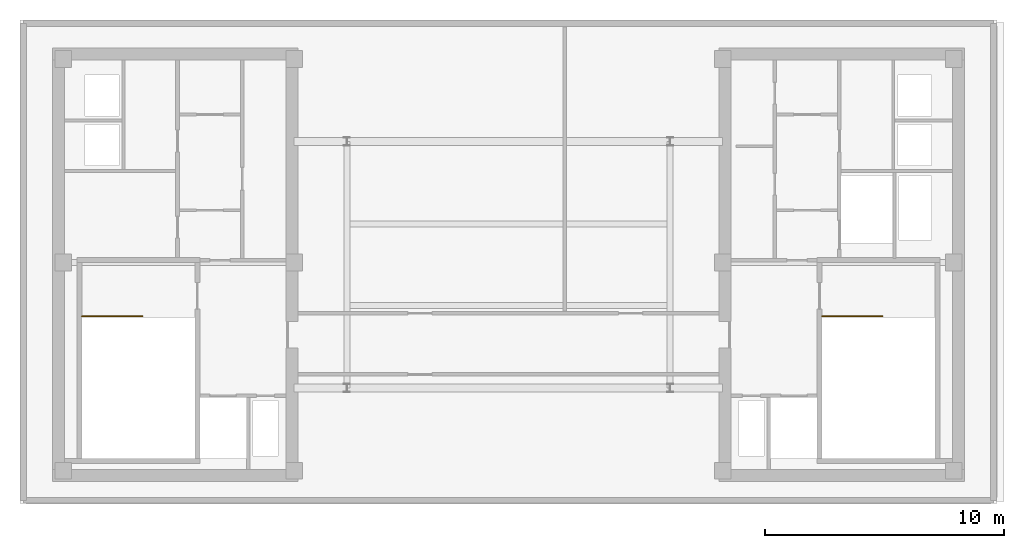
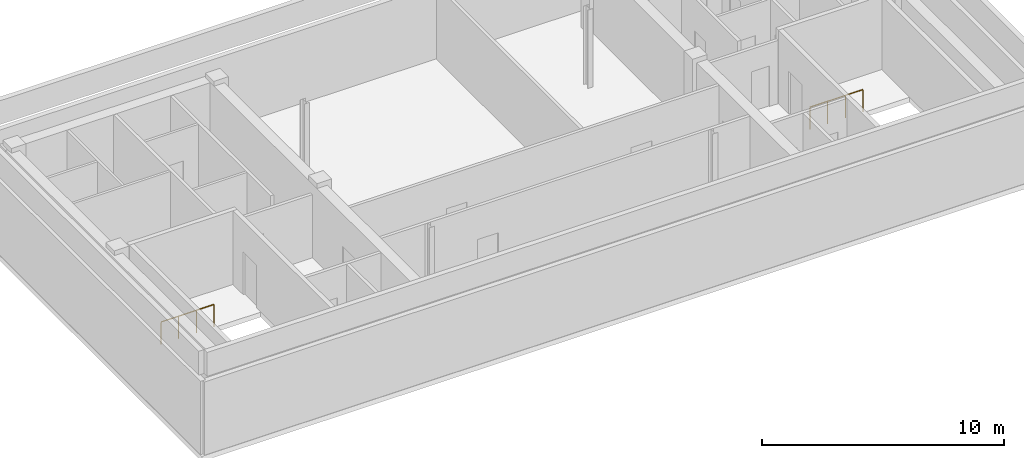
# One storey, part 4 of 4: 2 railings.
"""IFC4 building model written with IfcOpenShell, lengths in metres."""

import ifcopenshell
import ifcopenshell.guid

model = None  # the IFC model being written
_history = None  # IfcOwnerHistory: only IFC2X3 demands one
_inside = {}  # id of a spatial element -> (the spatial element, [elements in it])
_under = {}  # id of a project, library or spatial element -> (it, [spatial elements below it])
_declared = {}  # id of a project -> (the project, [libraries it declares])
_typed = {}  # id of a type object -> (the type object, [elements of that type])
_made_of = {}  # id of a material, layer set ... -> (it, [elements and type objects made of it])


def new_model(schema):
    """Start an empty IFC model of exactly this schema.

    Asked for "IFC4X3", IfcOpenShell would pick the latest addendum, in which some entities
    have other attributes; the version numbers below select the first issue.
    IFC2X3 requires an IfcOwnerHistory on every rooted entity: one is made here for all.
    """
    global model, _history
    if schema == "IFC4X3":
        model = ifcopenshell.file(schema_version=(4, 3, 0, 0))
    else:
        model = ifcopenshell.file(schema=schema)
    _inside.clear()
    _under.clear()
    _declared.clear()
    _typed.clear()
    _made_of.clear()
    _history = None
    if model.schema == "IFC2X3":
        org = make("IfcOrganization", Name="unknown")
        user = make(
            "IfcPersonAndOrganization",
            ThePerson=make("IfcPerson", FamilyName="unknown"),
            TheOrganization=org,
        )
        app = make(
            "IfcApplication",
            ApplicationDeveloper=org,
            Version="unknown",
            ApplicationFullName="unknown",
            ApplicationIdentifier="unknown",
        )
        _history = make(
            "IfcOwnerHistory",
            OwningUser=user,
            OwningApplication=app,
            ChangeAction="ADDED",
            CreationDate=0,
        )
    return model


def make(cls, **values):
    """One entity of the class cls with the attributes given. An attribute that is None is left unset."""
    return model.create_entity(
        cls, **{name: value for name, value in values.items() if value is not None}
    )


def rooted(cls, **values):
    """An entity with a GlobalId (a new one), such as an element, a storey or a relation."""
    return make(cls, GlobalId=ifcopenshell.guid.new(), OwnerHistory=_history, **values)


def si_unit(unit_type, name, prefix=None):
    """IfcSIUnit, for example si_unit("LENGTHUNIT", "METRE", prefix="MILLI")."""
    return make("IfcSIUnit", UnitType=unit_type, Prefix=prefix, Name=name)


def assignment(units):
    """IfcUnitAssignment: the units of a project."""
    return None if units is None else make("IfcUnitAssignment", Units=units)


def point(xyz):
    """IfcCartesianPoint."""
    return None if xyz is None else make("IfcCartesianPoint", Coordinates=xyz)


def direction(xyz):
    """IfcDirection."""
    return None if xyz is None else make("IfcDirection", DirectionRatios=xyz)


def frame(location, z_axis=None, x_axis=None):
    """IfcAxis2Placement3D, a coordinate frame: its origin and axes. An axis left out is left unset."""
    return make(
        "IfcAxis2Placement3D",
        Location=point(location),
        Axis=direction(z_axis),
        RefDirection=direction(x_axis),
    )


def frame_2d(location, x_axis=None):
    """IfcAxis2Placement2D, a coordinate frame in the plane: its origin and x axis."""
    return make(
        "IfcAxis2Placement2D", Location=point(location), RefDirection=direction(x_axis)
    )


def origin():
    """The frame at (0, 0, 0) with its axes left unset."""
    return frame((0.0, 0.0, 0.0))


def origin_2d():
    """The frame at (0, 0) in the plane with its x axis left unset."""
    return frame_2d((0.0, 0.0))


def place(relative_to, where):
    """IfcLocalPlacement: puts the frame where relative to a parent placement (None: the world)."""
    return make(
        "IfcLocalPlacement", PlacementRelTo=relative_to, RelativePlacement=where
    )


def context(
    kind, dimensions, precision=None, world=None, true_north=None, identifier=None
):
    """IfcGeometricRepresentationContext, for example the 3D "Model" context."""
    return make(
        "IfcGeometricRepresentationContext",
        ContextIdentifier=identifier,
        ContextType=kind,
        CoordinateSpaceDimension=dimensions,
        Precision=precision,
        WorldCoordinateSystem=world,
        TrueNorth=true_north,
    )


def subcontext(parent, identifier, kind, view, scale=None):
    """IfcGeometricRepresentationSubContext, for example "Body" below "Model"."""
    return make(
        "IfcGeometricRepresentationSubContext",
        ContextIdentifier=identifier,
        ContextType=kind,
        ParentContext=parent,
        TargetScale=scale,
        TargetView=view,
    )


def project(units=None, contexts=None):
    """IfcProject with its units and contexts."""
    return rooted(
        "IfcProject",
        Name="project",
        RepresentationContexts=contexts,
        UnitsInContext=assignment(units),
    )


def spatial(cls, under=None, at=None, **own):
    """A site, building, storey or space (cls), placed at a placement, below another one or the project."""
    s = rooted(cls, ObjectPlacement=at, **own)
    if under is not None:
        _under.setdefault(under.id(), (under, []))[1].append(s)
    return s


def profile(cls, at=None, kind="AREA", **sizes):
    """A parametric profile (cls). Its sizes go by their IFC names, for example OverallWidth=200.0."""
    return make(cls, ProfileType=kind, Position=at, **sizes)


def circle(**sizes):
    """IfcCircleProfileDef."""
    return profile("IfcCircleProfileDef", **sizes)


def extrude(swept, where, along, depth):
    """IfcExtrudedAreaSolid: the profile swept, set in the frame where, extruded along a direction by depth."""
    return make(
        "IfcExtrudedAreaSolid",
        SweptArea=swept,
        Position=where,
        ExtrudedDirection=direction(along),
        Depth=depth,
    )


def shape(context_of_items, identifier, shape_type, items):
    """IfcShapeRepresentation: the items that make up one representation, for example the "Body"."""
    return make(
        "IfcShapeRepresentation",
        ContextOfItems=context_of_items,
        RepresentationIdentifier=identifier,
        RepresentationType=shape_type,
        Items=items,
    )


def material(Name=None, Category=None):
    """IfcMaterial."""
    return make("IfcMaterial", Name=Name, Category=Category)


def made_of(thing, what):
    """Note that an element or type object is made of a material, layer set ...; save() writes the relation."""
    if what is not None:
        _made_of.setdefault(what.id(), (what, []))[1].append(thing)
    return thing


def type_object(cls, material=None, **own):
    """A type object (cls), such as IfcWallType, which elements share."""
    return made_of(rooted(cls, **own), material)


def element(
    cls,
    number,
    at=None,
    inside=None,
    cuts=None,
    type_object=None,
    material=None,
    context=None,
    identifier="Body",
    shape_type=None,
    held_by="IfcProductDefinitionShape",
    body=None,
    shapes=None,
    **own,
):
    """One element of the class cls, such as IfcWall. Its Tag is "e" and its number.

    at: its placement. inside: the storey or other place that contains it. cuts: it is an
    opening in that element (IfcRelVoidsElement). A single representation is given by context,
    identifier, shape_type and body (its items); several are given by shapes. held_by: the class
    of the entity that holds the representations. save() writes the other relations.
    """
    e = rooted(cls, Tag="e%d" % number, ObjectPlacement=at, **own)
    if body is not None:
        shapes = [shape(context, identifier, shape_type, body)]
    if shapes is not None:
        e.Representation = make(held_by, Representations=shapes)
    if inside is not None:
        _inside.setdefault(inside.id(), (inside, []))[1].append(e)
    if cuts is not None:
        rooted(
            "IfcRelVoidsElement", RelatingBuildingElement=cuts, RelatedOpeningElement=e
        )
    if type_object is not None:
        _typed.setdefault(type_object.id(), (type_object, []))[1].append(e)
    return made_of(e, material)


def aggregate(whole, parts):
    """IfcRelAggregates: a whole, such as a stair, and the parts it consists of."""
    return rooted("IfcRelAggregates", RelatingObject=whole, RelatedObjects=parts)


def save(model, path):
    """Write the relations noted so far, then the file.

    IfcRelAggregates (storeys below a building ...), IfcRelContainedInSpatialStructure (elements
    in a storey), IfcRelDefinesByType, IfcRelAssociatesMaterial and IfcRelDeclares: one each for
    every whole, place, type object, material and project.
    """
    for whole, parts in _under.values():
        aggregate(whole, parts)
    for where, things in _inside.values():
        rooted(
            "IfcRelContainedInSpatialStructure",
            RelatedElements=things,
            RelatingStructure=where,
        )
    for kind, things in _typed.values():
        rooted("IfcRelDefinesByType", RelatedObjects=things, RelatingType=kind)
    for what, things in _made_of.values():
        rooted("IfcRelAssociatesMaterial", RelatedObjects=things, RelatingMaterial=what)
    for by, libraries in _declared.values():
        rooted("IfcRelDeclares", RelatingContext=by, RelatedDefinitions=libraries)
    model.write(path)


model = new_model("IFC4")

# Units and contexts
model_context = context("Model", 3, precision=1e-05, world=origin(), true_north=direction((0.0, 1.0)))
body_context = subcontext(model_context, "Body", "Model", "MODEL_VIEW")
ifc_project = project(units=[si_unit("LENGTHUNIT", "METRE"), si_unit("AREAUNIT", "SQUARE_METRE"), si_unit("VOLUMEUNIT", "CUBIC_METRE"), si_unit("PLANEANGLEUNIT", "RADIAN"), si_unit("MASSUNIT", "GRAM", prefix="KILO")], contexts=[model_context])

# Site, building, storey
site_placement = place(None, origin())
site = spatial("IfcSite", under=ifc_project, at=site_placement, CompositionType="ELEMENT")
building_placement = place(site_placement, origin())
building = spatial("IfcBuilding", under=site, at=building_placement, Name="Velakula Bourse", CompositionType="ELEMENT")
storey_placement = place(building_placement, frame((0.0, 0.0, 308.550048828125)))
storey = spatial("IfcBuildingStorey", under=building, at=storey_placement, Name="L84", CompositionType="ELEMENT", Elevation=308.550048828125)

# Railings
ifc_material = material(Name="Brushed grade 316 stainless steel", Category="steel")
railing_type = type_object("IfcRailingType", Name="RLG-STAIR-GUARD-1150", PredefinedType="BALUSTRADE", material=ifc_material)
for number, where, name in (
    (1, (-17.820068359375, -2.14990234375, 0.0), "L84 ST-W1 top well guard 1"),
    (2, (13.10009765625, -2.14990234375, 0.0), "L84 ST-E1 top well guard 1"),
):
    element("IfcRailing", number, at=place(storey_placement, frame(where)), inside=storey, type_object=railing_type, Name=name, PredefinedType="BALUSTRADE", context=body_context, shape_type="SweptSolid", body=[
        extrude(circle(Radius=0.02490234375, at=origin_2d()), frame((0.0, 0.0, 1.125), z_axis=(1.0, 0.0, 0.0), x_axis=(0.0, 1.0, 0.0)), (0.0, 0.0, 1.0), 2.52197265625),
        extrude(circle(Radius=0.02099609375, at=origin_2d()), origin(), (0.0, 0.0, 1.0), 1.099853515625),
        extrude(circle(Radius=0.02099609375, at=origin_2d()), frame((0.840576171875, 0.0, 0.0)), (0.0, 0.0, 1.0), 1.099853515625),
        extrude(circle(Radius=0.02099609375, at=origin_2d()), frame((1.681396484375, 0.0, 0.0)), (0.0, 0.0, 1.0), 1.099853515625),
        extrude(circle(Radius=0.02099609375, at=origin_2d()), frame((2.52197265625, 0.0, 0.0)), (0.0, 0.0, 1.0), 1.099853515625),
    ])

save(model, "model.ifc")
